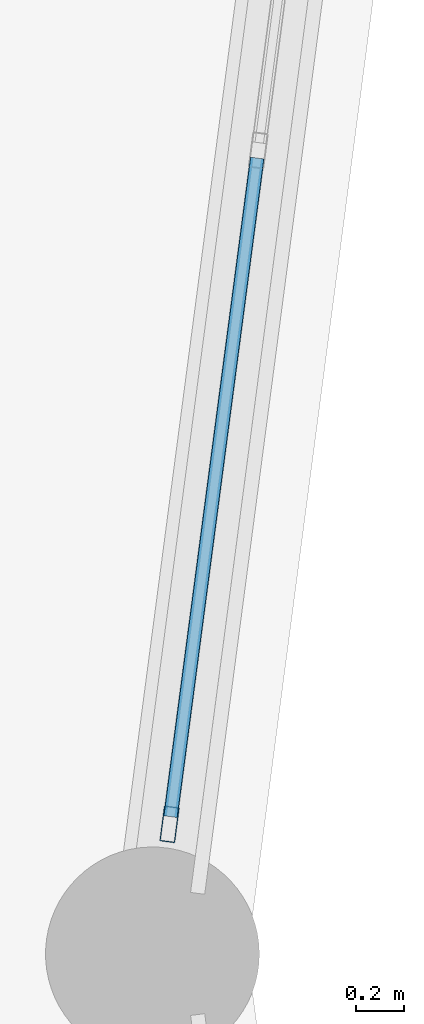
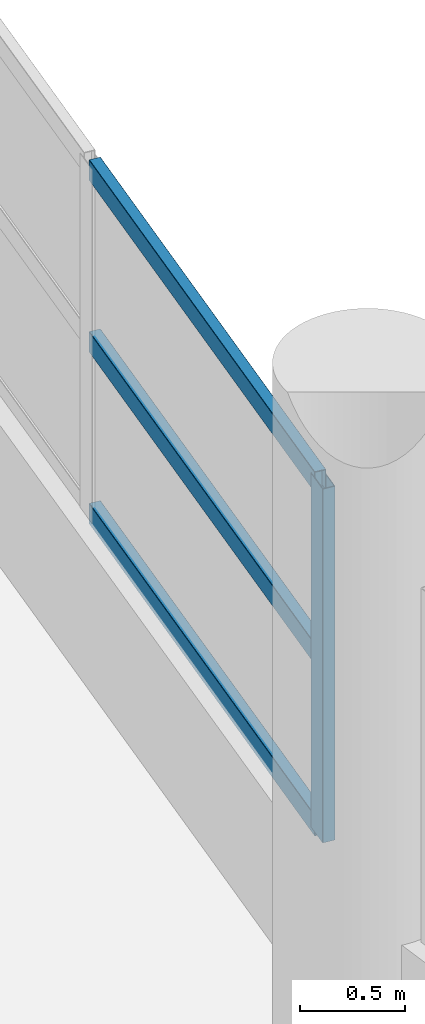
# One storey, part 35 of 108: 4 members, 1 element without a shape of its own.
"""IFC4 building model written with IfcOpenShell, lengths in metres."""

from ifc_helpers import new_model, si_unit, direction, frame, origin, origin_2d, place, context, subcontext, project, spatial, hollow_rectangle, extrude, material, layer, layer_set, material_profile, profile_set, type_object, element, aggregate, save


model = new_model("IFC4")

# Units and contexts
model_context = context("Model", 3, precision=1e-05, world=origin(), true_north=direction((0.0, 1.0)))
body_context = subcontext(model_context, "Body", "Model", "MODEL_VIEW")
ifc_project = project(units=[si_unit("LENGTHUNIT", "METRE"), si_unit("AREAUNIT", "SQUARE_METRE"), si_unit("VOLUMEUNIT", "CUBIC_METRE"), si_unit("PLANEANGLEUNIT", "RADIAN"), si_unit("MASSUNIT", "GRAM", prefix="KILO")], contexts=[model_context])

# Site, building, storey
site_placement = place(None, origin())
site = spatial("IfcSite", under=ifc_project, at=site_placement, CompositionType="ELEMENT")
building_placement = place(site_placement, origin())
building = spatial("IfcBuilding", under=site, at=building_placement, Name="Vespera Passage Community Centre", CompositionType="ELEMENT")
storey_placement = place(building_placement, frame((0.0, 0.0, 12.60009765625)))
storey = spatial("IfcBuildingStorey", under=building, at=storey_placement, Name="L03", CompositionType="ELEMENT", Elevation=12.60009765625)

# Curtain wall, members
ifc_material_1 = material(Name="Anodized aluminium 6063-T6", Category="aluminium")
ifc_layer = layer(ifc_material_1, 0.159912109375)
ifc_layer_set = layer_set([ifc_layer], Name="Anodized aluminium 6063-T6")
curtain_wall_type = type_object("IfcCurtainWallType", Name="CW-42E", PredefinedType="NOTDEFINED", material=ifc_layer_set)
curtain_wall_placement = place(storey_placement, origin())
curtain_wall = element("IfcCurtainWall", 1, at=curtain_wall_placement, inside=storey, type_object=curtain_wall_type, Name="V4 L03 Inner Court Curtain Wall 11", PredefinedType="NOTDEFINED")
ifc_material_2 = material(Name="Anodized aluminium 6063-T6", Category="aluminium")
ifc_material_profile_1 = material_profile(ifc_material_2, hollow_rectangle(XDim=0.06494140625, YDim=0.14990234375, WallThickness=0.00390625, InnerFilletRadius=0.001953125, OuterFilletRadius=0.00390625, at=origin_2d()), Name="ALU150X65X4")
ifc_profile_set_1 = profile_set([ifc_material_profile_1], Name="Anodized aluminium 6063-T6")
member_type_1 = type_object("IfcMemberType", Name="MB-CWM-150E", PredefinedType="MULLION", material=ifc_profile_set_1)
member_1_placement = place(storey_placement, frame((40.871826171875, 66.04541015625, 0.81982421875), z_axis=(0.0, 0.0, 1.0), x_axis=(0.991445387728, -0.1305221941, 0.0)))
member_1 = element("IfcMember", 2, at=member_1_placement, type_object=member_type_1, Name="CW-42E mullion 4", PredefinedType="MULLION", context=body_context, shape_type="SweptSolid", body=[
    extrude(hollow_rectangle(XDim=0.06494140625, YDim=0.14990234375, WallThickness=0.00390625, InnerFilletRadius=0.001953125, OuterFilletRadius=0.00390625, at=origin_2d()), origin(), (0.0, 0.0, 1.0), 2.049560546875),
])
ifc_material_3 = material(Name="Anodized aluminium 6063-T6", Category="aluminium")
ifc_material_profile_2 = material_profile(ifc_material_3, hollow_rectangle(XDim=0.06005859375, YDim=0.1201171875, WallThickness=0.00390625, InnerFilletRadius=0.001953125, OuterFilletRadius=0.00390625, at=origin_2d()), Name="ALU120X60X4")
ifc_profile_set_2 = profile_set([ifc_material_profile_2], Name="Anodized aluminium 6063-T6")
member_type_2 = type_object("IfcMemberType", Name="MB-CWT-120E", PredefinedType="USERDEFINED", material=ifc_profile_set_2)
member_2_placement = place(storey_placement, frame((41.24072265625, 68.84814453125, 0.849853515625), z_axis=(-0.130526832651, -0.991444777059, 0.0), x_axis=(0.991444777059, -0.130526832651, 0.0)))
member_2 = element("IfcMember", 3, at=member_2_placement, type_object=member_type_2, Name="CW-42E transom 3.1", ObjectType="TRANSOM", PredefinedType="USERDEFINED", context=body_context, shape_type="SweptSolid", body=[
    extrude(hollow_rectangle(XDim=0.06005859375, YDim=0.1201171875, WallThickness=0.00390625, InnerFilletRadius=0.001953125, OuterFilletRadius=0.00390625, at=origin_2d()), origin(), (0.0, 0.0, 1.0), 2.79443359375),
])
member_3_placement = place(storey_placement, frame((41.24072265625, 68.84814453125, 1.844482421875), z_axis=(-0.130526832651, -0.991444777059, 0.0), x_axis=(0.991444777059, -0.130526832651, 0.0)))
member_3 = element("IfcMember", 4, at=member_3_placement, type_object=member_type_2, Name="CW-42E transom 3.2", ObjectType="TRANSOM", PredefinedType="USERDEFINED", context=body_context, shape_type="SweptSolid", body=[
    extrude(hollow_rectangle(XDim=0.06005859375, YDim=0.1201171875, WallThickness=0.00390625, InnerFilletRadius=0.001953125, OuterFilletRadius=0.00390625, at=origin_2d()), origin(), (0.0, 0.0, 1.0), 2.79443359375),
])
member_4_placement = place(storey_placement, frame((41.24072265625, 68.84814453125, 2.83935546875), z_axis=(-0.130526832651, -0.991444777059, 0.0), x_axis=(0.991444777059, -0.130526832651, 0.0)))
member_4 = element("IfcMember", 5, at=member_4_placement, type_object=member_type_2, Name="CW-42E transom 3.3", ObjectType="TRANSOM", PredefinedType="USERDEFINED", context=body_context, shape_type="SweptSolid", body=[
    extrude(hollow_rectangle(XDim=0.06005859375, YDim=0.1201171875, WallThickness=0.00390625, InnerFilletRadius=0.001953125, OuterFilletRadius=0.00390625, at=origin_2d()), origin(), (0.0, 0.0, 1.0), 2.79443359375),
])
aggregate(curtain_wall, [member_1, member_2, member_3, member_4])

save(model, "model.ifc")
